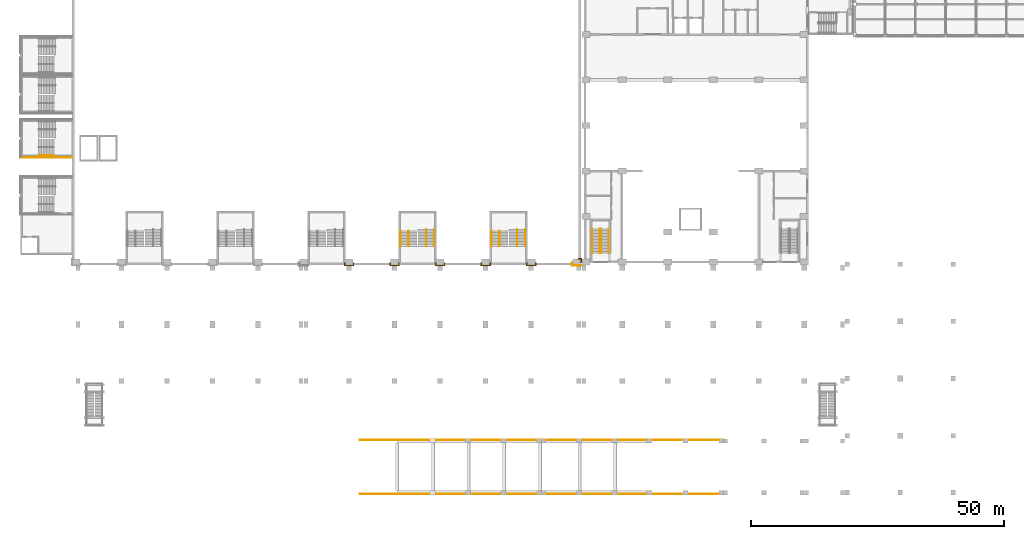
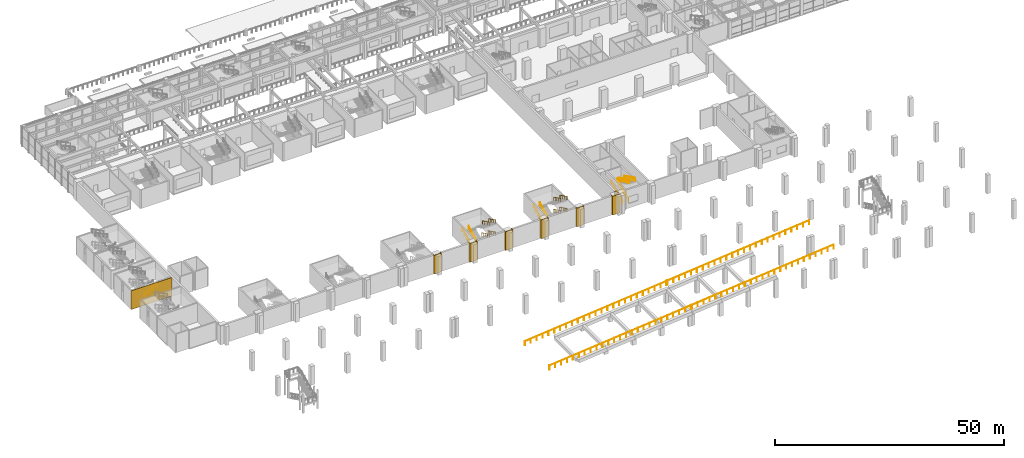
# One storey, part 55 of 67: 21 railings, 8 coverings.
"""IFC4 building model written with IfcOpenShell, lengths in metres."""

from ifc_helpers import new_model, si_unit, direction, frame, origin, origin_2d, place, context, subcontext, project, spatial, polyline, circle, outline, extrude, material, layer, layer_set, type_object, element, save


model = new_model("IFC4")

# Units and contexts
model_context = context("Model", 3, precision=1e-05, world=origin(), true_north=direction((0.0, 1.0)))
body_context = subcontext(model_context, "Body", "Model", "MODEL_VIEW")
ifc_project = project(units=[si_unit("LENGTHUNIT", "METRE"), si_unit("AREAUNIT", "SQUARE_METRE"), si_unit("VOLUMEUNIT", "CUBIC_METRE"), si_unit("PLANEANGLEUNIT", "RADIAN"), si_unit("MASSUNIT", "GRAM", prefix="KILO")], contexts=[model_context])

# Site, building, storey
site_placement = place(None, origin())
site = spatial("IfcSite", under=ifc_project, at=site_placement, CompositionType="ELEMENT")
building_placement = place(site_placement, origin())
building = spatial("IfcBuilding", under=site, at=building_placement, Name="Aravalli Gate Trade Fair Centre", CompositionType="ELEMENT")
storey_placement = place(building_placement, frame((0.0, 0.0, 5.0)))
storey = spatial("IfcBuildingStorey", under=building, at=storey_placement, Name="L01", CompositionType="ELEMENT", Elevation=5.0)

# Railings
ifc_material_1 = material(Name="Steel E350", Category="steel")
railing_type_1 = type_object("IfcRailingType", Name="Congress stair handrail 900", PredefinedType="HANDRAIL", material=ifc_material_1)
for number, where, name in (
    (1, (108.070068359375, 47.800048828125, 0.147216796875), "Handrail GS1 L01 1"),
    (2, (109.550048828125, 47.800048828125, 0.147216796875), "Handrail GS1 L01 2"),
):
    element("IfcRailing", number, at=place(storey_placement, frame(where)), inside=storey, type_object=railing_type_1, Name=name, PredefinedType="HANDRAIL", context=body_context, shape_type="SweptSolid", body=[
        extrude(circle(Radius=0.02392578125, at=origin_2d()), frame((0.0, 0.0, 0.8759765625), z_axis=(0.0, 0.89793417156, 0.440129780343), x_axis=(-1.0, 0.0, 0.0)), (0.0, 0.0, 1.0), 5.345703125),
        extrude(circle(Radius=0.02099609375, at=origin_2d()), origin(), (0.0, 0.0, 1.0), 0.851806640625),
        extrude(circle(Radius=0.02099609375, at=origin_2d()), frame((0.0, 0.9599609375, 0.470458984375)), (0.0, 0.0, 1.0), 0.851806640625),
        extrude(circle(Radius=0.02099609375, at=origin_2d()), frame((0.0, 1.919921875, 0.941162109375)), (0.0, 0.0, 1.0), 0.851806640625),
        extrude(circle(Radius=0.02099609375, at=origin_2d()), frame((0.0, 2.880126953125, 1.41162109375)), (0.0, 0.0, 1.0), 0.851806640625),
        extrude(circle(Radius=0.02099609375, at=origin_2d()), frame((0.0, 3.840087890625, 1.88232421875)), (0.0, 0.0, 1.0), 0.851806640625),
        extrude(circle(Radius=0.02099609375, at=origin_2d()), frame((0.0, 4.800048828125, 2.352783203125)), (0.0, 0.0, 1.0), 0.851806640625),
    ])
for number, where, name in (
    (3, (111.330078125, 52.60009765625, 2.647216796875), "Handrail GS1 L01 3"),
    (4, (109.85009765625, 52.60009765625, 2.647216796875), "Handrail GS1 L01 4"),
):
    element("IfcRailing", number, at=place(storey_placement, frame(where)), inside=storey, type_object=railing_type_1, Name=name, PredefinedType="HANDRAIL", context=body_context, shape_type="SweptSolid", body=[
        extrude(circle(Radius=0.02392578125, at=origin_2d()), frame((0.0, 0.0, 0.8759765625), z_axis=(0.0, -0.89793417156, 0.440129780343), x_axis=(1.0, 0.0, 0.0)), (0.0, 0.0, 1.0), 5.345703125),
        extrude(circle(Radius=0.02099609375, at=origin_2d()), origin(), (0.0, 0.0, 1.0), 0.851806640625),
        extrude(circle(Radius=0.02099609375, at=origin_2d()), frame((0.0, -0.9599609375, 0.470458984375)), (0.0, 0.0, 1.0), 0.851806640625),
        extrude(circle(Radius=0.02099609375, at=origin_2d()), frame((0.0, -1.919921875, 0.941162109375)), (0.0, 0.0, 1.0), 0.851806640625),
        extrude(circle(Radius=0.02099609375, at=origin_2d()), frame((0.0, -2.880126953125, 1.41162109375)), (0.0, 0.0, 1.0), 0.851806640625),
        extrude(circle(Radius=0.02099609375, at=origin_2d()), frame((0.0, -3.840087890625, 1.88232421875)), (0.0, 0.0, 1.0), 0.851806640625),
        extrude(circle(Radius=0.02099609375, at=origin_2d()), frame((0.0, -4.800048828125, 2.352783203125)), (0.0, 0.0, 1.0), 0.851806640625),
    ])
railing_type_2 = type_object("IfcRailingType", Name="Edge guard 1100", PredefinedType="GUARDRAIL", material=ifc_material_1)
railing_1_placement = place(storey_placement, frame((62.1201171875, 0.14990234375, 0.81201171875)))
element("IfcRailing", 5, at=railing_1_placement, inside=storey, type_object=railing_type_2, Name="Ramp guard RA1-F2.3 S", PredefinedType="GUARDRAIL", context=body_context, shape_type="SweptSolid", body=[
    extrude(circle(Radius=0.02392578125, at=origin_2d()), frame((0.0, 0.0, 1.076171875), z_axis=(0.995037324731, 0.0, 0.099502373801), x_axis=(0.0, 1.0, 0.0)), (0.0, 0.0, 1.0), 35.938232421875),
    extrude(circle(Radius=0.02099609375, at=origin_2d()), origin(), (0.0, 0.0, 1.0), 1.052001953125),
    extrude(circle(Radius=0.02099609375, at=origin_2d()), frame((1.489990234375, 0.0, 0.14892578125)), (0.0, 0.0, 1.0), 1.052001953125),
    extrude(circle(Radius=0.02099609375, at=origin_2d()), frame((2.97998046875, 0.0, 0.298095703125)), (0.0, 0.0, 1.0), 1.052001953125),
    extrude(circle(Radius=0.02099609375, at=origin_2d()), frame((4.469970703125, 0.0, 0.447021484375)), (0.0, 0.0, 1.0), 1.052001953125),
    extrude(circle(Radius=0.02099609375, at=origin_2d()), frame((5.9599609375, 0.0, 0.595947265625)), (0.0, 0.0, 1.0), 1.052001953125),
    extrude(circle(Radius=0.02099609375, at=origin_2d()), frame((7.449951171875, 0.0, 0.744873046875)), (0.0, 0.0, 1.0), 1.052001953125),
    extrude(circle(Radius=0.02099609375, at=origin_2d()), frame((8.93994140625, 0.0, 0.89404296875)), (0.0, 0.0, 1.0), 1.052001953125),
    extrude(circle(Radius=0.02099609375, at=origin_2d()), frame((10.429931640625, 0.0, 1.04296875)), (0.0, 0.0, 1.0), 1.052001953125),
    extrude(circle(Radius=0.02099609375, at=origin_2d()), frame((11.919921875, 0.0, 1.19189453125)), (0.0, 0.0, 1.0), 1.052001953125),
    extrude(circle(Radius=0.02099609375, at=origin_2d()), frame((13.409912109375, 0.0, 1.341064453125)), (0.0, 0.0, 1.0), 1.052001953125),
    extrude(circle(Radius=0.02099609375, at=origin_2d()), frame((14.89990234375, 0.0, 1.489990234375)), (0.0, 0.0, 1.0), 1.052001953125),
    extrude(circle(Radius=0.02099609375, at=origin_2d()), frame((16.389892578125, 0.0, 1.638916015625)), (0.0, 0.0, 1.0), 1.052001953125),
    extrude(circle(Radius=0.02099609375, at=origin_2d()), frame((17.8798828125, 0.0, 1.7880859375)), (0.0, 0.0, 1.0), 1.052001953125),
    extrude(circle(Radius=0.02099609375, at=origin_2d()), frame((19.369873046875, 0.0, 1.93701171875)), (0.0, 0.0, 1.0), 1.052001953125),
    extrude(circle(Radius=0.02099609375, at=origin_2d()), frame((20.85986328125, 0.0, 2.0859375)), (0.0, 0.0, 1.0), 1.052001953125),
    extrude(circle(Radius=0.02099609375, at=origin_2d()), frame((22.349853515625, 0.0, 2.23486328125)), (0.0, 0.0, 1.0), 1.052001953125),
    extrude(circle(Radius=0.02099609375, at=origin_2d()), frame((23.83984375, 0.0, 2.384033203125)), (0.0, 0.0, 1.0), 1.052001953125),
    extrude(circle(Radius=0.02099609375, at=origin_2d()), frame((25.329833984375, 0.0, 2.532958984375)), (0.0, 0.0, 1.0), 1.052001953125),
    extrude(circle(Radius=0.02099609375, at=origin_2d()), frame((26.81982421875, 0.0, 2.681884765625)), (0.0, 0.0, 1.0), 1.052001953125),
    extrude(circle(Radius=0.02099609375, at=origin_2d()), frame((28.309814453125, 0.0, 2.8310546875)), (0.0, 0.0, 1.0), 1.052001953125),
    extrude(circle(Radius=0.02099609375, at=origin_2d()), frame((29.7998046875, 0.0, 2.97998046875)), (0.0, 0.0, 1.0), 1.052001953125),
    extrude(circle(Radius=0.02099609375, at=origin_2d()), frame((31.289794921875, 0.0, 3.12890625)), (0.0, 0.0, 1.0), 1.052001953125),
    extrude(circle(Radius=0.02099609375, at=origin_2d()), frame((32.77978515625, 0.0, 3.27783203125)), (0.0, 0.0, 1.0), 1.052001953125),
    extrude(circle(Radius=0.02099609375, at=origin_2d()), frame((34.269775390625, 0.0, 3.427001953125)), (0.0, 0.0, 1.0), 1.052001953125),
    extrude(circle(Radius=0.02099609375, at=origin_2d()), frame((35.759765625, 0.0, 3.575927734375)), (0.0, 0.0, 1.0), 1.052001953125),
])
railing_2_placement = place(storey_placement, frame((62.1201171875, 10.85009765625, 0.81201171875)))
element("IfcRailing", 6, at=railing_2_placement, inside=storey, type_object=railing_type_2, Name="Ramp guard RA1-F2.3 N", PredefinedType="GUARDRAIL", context=body_context, shape_type="SweptSolid", body=[
    extrude(circle(Radius=0.02392578125, at=origin_2d()), frame((0.0, 0.0, 1.076171875), z_axis=(0.995037324731, 0.0, 0.099502373801), x_axis=(0.0, 1.0, 0.0)), (0.0, 0.0, 1.0), 35.938232421875),
    extrude(circle(Radius=0.02099609375, at=origin_2d()), origin(), (0.0, 0.0, 1.0), 1.052001953125),
    extrude(circle(Radius=0.02099609375, at=origin_2d()), frame((1.489990234375, 0.0, 0.14892578125)), (0.0, 0.0, 1.0), 1.052001953125),
    extrude(circle(Radius=0.02099609375, at=origin_2d()), frame((2.97998046875, 0.0, 0.298095703125)), (0.0, 0.0, 1.0), 1.052001953125),
    extrude(circle(Radius=0.02099609375, at=origin_2d()), frame((4.469970703125, 0.0, 0.447021484375)), (0.0, 0.0, 1.0), 1.052001953125),
    extrude(circle(Radius=0.02099609375, at=origin_2d()), frame((5.9599609375, 0.0, 0.595947265625)), (0.0, 0.0, 1.0), 1.052001953125),
    extrude(circle(Radius=0.02099609375, at=origin_2d()), frame((7.449951171875, 0.0, 0.744873046875)), (0.0, 0.0, 1.0), 1.052001953125),
    extrude(circle(Radius=0.02099609375, at=origin_2d()), frame((8.93994140625, 0.0, 0.89404296875)), (0.0, 0.0, 1.0), 1.052001953125),
    extrude(circle(Radius=0.02099609375, at=origin_2d()), frame((10.429931640625, 0.0, 1.04296875)), (0.0, 0.0, 1.0), 1.052001953125),
    extrude(circle(Radius=0.02099609375, at=origin_2d()), frame((11.919921875, 0.0, 1.19189453125)), (0.0, 0.0, 1.0), 1.052001953125),
    extrude(circle(Radius=0.02099609375, at=origin_2d()), frame((13.409912109375, 0.0, 1.341064453125)), (0.0, 0.0, 1.0), 1.052001953125),
    extrude(circle(Radius=0.02099609375, at=origin_2d()), frame((14.89990234375, 0.0, 1.489990234375)), (0.0, 0.0, 1.0), 1.052001953125),
    extrude(circle(Radius=0.02099609375, at=origin_2d()), frame((16.389892578125, 0.0, 1.638916015625)), (0.0, 0.0, 1.0), 1.052001953125),
    extrude(circle(Radius=0.02099609375, at=origin_2d()), frame((17.8798828125, 0.0, 1.7880859375)), (0.0, 0.0, 1.0), 1.052001953125),
    extrude(circle(Radius=0.02099609375, at=origin_2d()), frame((19.369873046875, 0.0, 1.93701171875)), (0.0, 0.0, 1.0), 1.052001953125),
    extrude(circle(Radius=0.02099609375, at=origin_2d()), frame((20.85986328125, 0.0, 2.0859375)), (0.0, 0.0, 1.0), 1.052001953125),
    extrude(circle(Radius=0.02099609375, at=origin_2d()), frame((22.349853515625, 0.0, 2.23486328125)), (0.0, 0.0, 1.0), 1.052001953125),
    extrude(circle(Radius=0.02099609375, at=origin_2d()), frame((23.83984375, 0.0, 2.384033203125)), (0.0, 0.0, 1.0), 1.052001953125),
    extrude(circle(Radius=0.02099609375, at=origin_2d()), frame((25.329833984375, 0.0, 2.532958984375)), (0.0, 0.0, 1.0), 1.052001953125),
    extrude(circle(Radius=0.02099609375, at=origin_2d()), frame((26.81982421875, 0.0, 2.681884765625)), (0.0, 0.0, 1.0), 1.052001953125),
    extrude(circle(Radius=0.02099609375, at=origin_2d()), frame((28.309814453125, 0.0, 2.8310546875)), (0.0, 0.0, 1.0), 1.052001953125),
    extrude(circle(Radius=0.02099609375, at=origin_2d()), frame((29.7998046875, 0.0, 2.97998046875)), (0.0, 0.0, 1.0), 1.052001953125),
    extrude(circle(Radius=0.02099609375, at=origin_2d()), frame((31.289794921875, 0.0, 3.12890625)), (0.0, 0.0, 1.0), 1.052001953125),
    extrude(circle(Radius=0.02099609375, at=origin_2d()), frame((32.77978515625, 0.0, 3.27783203125)), (0.0, 0.0, 1.0), 1.052001953125),
    extrude(circle(Radius=0.02099609375, at=origin_2d()), frame((34.269775390625, 0.0, 3.427001953125)), (0.0, 0.0, 1.0), 1.052001953125),
    extrude(circle(Radius=0.02099609375, at=origin_2d()), frame((35.759765625, 0.0, 3.575927734375)), (0.0, 0.0, 1.0), 1.052001953125),
])
railing_3_placement = place(storey_placement, frame((98.1201171875, 0.14990234375, 4.412109375)))
element("IfcRailing", 7, at=railing_3_placement, inside=storey, type_object=railing_type_2, Name="Ramp guard RA1-F2.4 S", PredefinedType="GUARDRAIL", context=body_context, shape_type="SweptSolid", body=[
    extrude(circle(Radius=0.02392578125, at=origin_2d()), frame((0.0, 0.0, 1.076171875), z_axis=(0.995037324731, 0.0, 0.099502373801), x_axis=(0.0, 1.0, 0.0)), (0.0, 0.0, 1.0), 35.938232421875),
    extrude(circle(Radius=0.02099609375, at=origin_2d()), origin(), (0.0, 0.0, 1.0), 1.052001953125),
    extrude(circle(Radius=0.02099609375, at=origin_2d()), frame((1.489990234375, 0.0, 0.14892578125)), (0.0, 0.0, 1.0), 1.052001953125),
    extrude(circle(Radius=0.02099609375, at=origin_2d()), frame((2.97998046875, 0.0, 0.298095703125)), (0.0, 0.0, 1.0), 1.052001953125),
    extrude(circle(Radius=0.02099609375, at=origin_2d()), frame((4.469970703125, 0.0, 0.447021484375)), (0.0, 0.0, 1.0), 1.052001953125),
    extrude(circle(Radius=0.02099609375, at=origin_2d()), frame((5.9599609375, 0.0, 0.595947265625)), (0.0, 0.0, 1.0), 1.052001953125),
    extrude(circle(Radius=0.02099609375, at=origin_2d()), frame((7.449951171875, 0.0, 0.744873046875)), (0.0, 0.0, 1.0), 1.052001953125),
    extrude(circle(Radius=0.02099609375, at=origin_2d()), frame((8.93994140625, 0.0, 0.89404296875)), (0.0, 0.0, 1.0), 1.052001953125),
    extrude(circle(Radius=0.02099609375, at=origin_2d()), frame((10.429931640625, 0.0, 1.04296875)), (0.0, 0.0, 1.0), 1.052001953125),
    extrude(circle(Radius=0.02099609375, at=origin_2d()), frame((11.919921875, 0.0, 1.19189453125)), (0.0, 0.0, 1.0), 1.052001953125),
    extrude(circle(Radius=0.02099609375, at=origin_2d()), frame((13.409912109375, 0.0, 1.341064453125)), (0.0, 0.0, 1.0), 1.052001953125),
    extrude(circle(Radius=0.02099609375, at=origin_2d()), frame((14.89990234375, 0.0, 1.489990234375)), (0.0, 0.0, 1.0), 1.052001953125),
    extrude(circle(Radius=0.02099609375, at=origin_2d()), frame((16.389892578125, 0.0, 1.638916015625)), (0.0, 0.0, 1.0), 1.052001953125),
    extrude(circle(Radius=0.02099609375, at=origin_2d()), frame((17.8798828125, 0.0, 1.7880859375)), (0.0, 0.0, 1.0), 1.052001953125),
    extrude(circle(Radius=0.02099609375, at=origin_2d()), frame((19.369873046875, 0.0, 1.93701171875)), (0.0, 0.0, 1.0), 1.052001953125),
    extrude(circle(Radius=0.02099609375, at=origin_2d()), frame((20.85986328125, 0.0, 2.0859375)), (0.0, 0.0, 1.0), 1.052001953125),
    extrude(circle(Radius=0.02099609375, at=origin_2d()), frame((22.349853515625, 0.0, 2.23486328125)), (0.0, 0.0, 1.0), 1.052001953125),
    extrude(circle(Radius=0.02099609375, at=origin_2d()), frame((23.83984375, 0.0, 2.384033203125)), (0.0, 0.0, 1.0), 1.052001953125),
    extrude(circle(Radius=0.02099609375, at=origin_2d()), frame((25.329833984375, 0.0, 2.532958984375)), (0.0, 0.0, 1.0), 1.052001953125),
    extrude(circle(Radius=0.02099609375, at=origin_2d()), frame((26.81982421875, 0.0, 2.681884765625)), (0.0, 0.0, 1.0), 1.052001953125),
    extrude(circle(Radius=0.02099609375, at=origin_2d()), frame((28.309814453125, 0.0, 2.8310546875)), (0.0, 0.0, 1.0), 1.052001953125),
    extrude(circle(Radius=0.02099609375, at=origin_2d()), frame((29.7998046875, 0.0, 2.97998046875)), (0.0, 0.0, 1.0), 1.052001953125),
    extrude(circle(Radius=0.02099609375, at=origin_2d()), frame((31.289794921875, 0.0, 3.12890625)), (0.0, 0.0, 1.0), 1.052001953125),
    extrude(circle(Radius=0.02099609375, at=origin_2d()), frame((32.77978515625, 0.0, 3.27783203125)), (0.0, 0.0, 1.0), 1.052001953125),
    extrude(circle(Radius=0.02099609375, at=origin_2d()), frame((34.269775390625, 0.0, 3.427001953125)), (0.0, 0.0, 1.0), 1.052001953125),
    extrude(circle(Radius=0.02099609375, at=origin_2d()), frame((35.759765625, 0.0, 3.575927734375)), (0.0, 0.0, 1.0), 1.052001953125),
])
railing_4_placement = place(storey_placement, frame((98.1201171875, 10.85009765625, 4.412109375)))
element("IfcRailing", 8, at=railing_4_placement, inside=storey, type_object=railing_type_2, Name="Ramp guard RA1-F2.4 N", PredefinedType="GUARDRAIL", context=body_context, shape_type="SweptSolid", body=[
    extrude(circle(Radius=0.02392578125, at=origin_2d()), frame((0.0, 0.0, 1.076171875), z_axis=(0.995037324731, 0.0, 0.099502373801), x_axis=(0.0, 1.0, 0.0)), (0.0, 0.0, 1.0), 35.938232421875),
    extrude(circle(Radius=0.02099609375, at=origin_2d()), origin(), (0.0, 0.0, 1.0), 1.052001953125),
    extrude(circle(Radius=0.02099609375, at=origin_2d()), frame((1.489990234375, 0.0, 0.14892578125)), (0.0, 0.0, 1.0), 1.052001953125),
    extrude(circle(Radius=0.02099609375, at=origin_2d()), frame((2.97998046875, 0.0, 0.298095703125)), (0.0, 0.0, 1.0), 1.052001953125),
    extrude(circle(Radius=0.02099609375, at=origin_2d()), frame((4.469970703125, 0.0, 0.447021484375)), (0.0, 0.0, 1.0), 1.052001953125),
    extrude(circle(Radius=0.02099609375, at=origin_2d()), frame((5.9599609375, 0.0, 0.595947265625)), (0.0, 0.0, 1.0), 1.052001953125),
    extrude(circle(Radius=0.02099609375, at=origin_2d()), frame((7.449951171875, 0.0, 0.744873046875)), (0.0, 0.0, 1.0), 1.052001953125),
    extrude(circle(Radius=0.02099609375, at=origin_2d()), frame((8.93994140625, 0.0, 0.89404296875)), (0.0, 0.0, 1.0), 1.052001953125),
    extrude(circle(Radius=0.02099609375, at=origin_2d()), frame((10.429931640625, 0.0, 1.04296875)), (0.0, 0.0, 1.0), 1.052001953125),
    extrude(circle(Radius=0.02099609375, at=origin_2d()), frame((11.919921875, 0.0, 1.19189453125)), (0.0, 0.0, 1.0), 1.052001953125),
    extrude(circle(Radius=0.02099609375, at=origin_2d()), frame((13.409912109375, 0.0, 1.341064453125)), (0.0, 0.0, 1.0), 1.052001953125),
    extrude(circle(Radius=0.02099609375, at=origin_2d()), frame((14.89990234375, 0.0, 1.489990234375)), (0.0, 0.0, 1.0), 1.052001953125),
    extrude(circle(Radius=0.02099609375, at=origin_2d()), frame((16.389892578125, 0.0, 1.638916015625)), (0.0, 0.0, 1.0), 1.052001953125),
    extrude(circle(Radius=0.02099609375, at=origin_2d()), frame((17.8798828125, 0.0, 1.7880859375)), (0.0, 0.0, 1.0), 1.052001953125),
    extrude(circle(Radius=0.02099609375, at=origin_2d()), frame((19.369873046875, 0.0, 1.93701171875)), (0.0, 0.0, 1.0), 1.052001953125),
    extrude(circle(Radius=0.02099609375, at=origin_2d()), frame((20.85986328125, 0.0, 2.0859375)), (0.0, 0.0, 1.0), 1.052001953125),
    extrude(circle(Radius=0.02099609375, at=origin_2d()), frame((22.349853515625, 0.0, 2.23486328125)), (0.0, 0.0, 1.0), 1.052001953125),
    extrude(circle(Radius=0.02099609375, at=origin_2d()), frame((23.83984375, 0.0, 2.384033203125)), (0.0, 0.0, 1.0), 1.052001953125),
    extrude(circle(Radius=0.02099609375, at=origin_2d()), frame((25.329833984375, 0.0, 2.532958984375)), (0.0, 0.0, 1.0), 1.052001953125),
    extrude(circle(Radius=0.02099609375, at=origin_2d()), frame((26.81982421875, 0.0, 2.681884765625)), (0.0, 0.0, 1.0), 1.052001953125),
    extrude(circle(Radius=0.02099609375, at=origin_2d()), frame((28.309814453125, 0.0, 2.8310546875)), (0.0, 0.0, 1.0), 1.052001953125),
    extrude(circle(Radius=0.02099609375, at=origin_2d()), frame((29.7998046875, 0.0, 2.97998046875)), (0.0, 0.0, 1.0), 1.052001953125),
    extrude(circle(Radius=0.02099609375, at=origin_2d()), frame((31.289794921875, 0.0, 3.12890625)), (0.0, 0.0, 1.0), 1.052001953125),
    extrude(circle(Radius=0.02099609375, at=origin_2d()), frame((32.77978515625, 0.0, 3.27783203125)), (0.0, 0.0, 1.0), 1.052001953125),
    extrude(circle(Radius=0.02099609375, at=origin_2d()), frame((34.269775390625, 0.0, 3.427001953125)), (0.0, 0.0, 1.0), 1.052001953125),
    extrude(circle(Radius=0.02099609375, at=origin_2d()), frame((35.759765625, 0.0, 3.575927734375)), (0.0, 0.0, 1.0), 1.052001953125),
])

# Covering
ifc_material_2 = material(Name="Terracotta", Category="masonry")
ifc_layer_1 = layer(ifc_material_2, 0.10009765625)
ifc_layer_set_1 = layer_set([ifc_layer_1], Name="Terracotta")
covering_type_1 = type_object("IfcCoveringType", Name="End tower cladding 100", PredefinedType="CLADDING", material=ifc_layer_set_1)
covering_1_placement = place(storey_placement, origin())
element("IfcCovering", 9, at=covering_1_placement, inside=storey, type_object=covering_type_1, Name="End tower W4 cladding L01 side A", PredefinedType="CLADDING", context=body_context, shape_type="SweptSolid", body=[
    extrude(outline(polyline([(5.199951171875, 66.699951171875), (-5.10009765625, 66.699951171875), (-5.10009765625, 66.800048828125), (5.199951171875, 66.800048828125), (5.199951171875, 66.699951171875)])), origin(), (0.0, 0.0, 1.0), 5.0),
])

# Railings
railing_type_3 = type_object("IfcRailingType", Name="Stair handrail 900", PredefinedType="HANDRAIL", material=ifc_material_1)
for number, where, name in (
    (10, (76.830078125, 52.449951171875, 0.147216796875), "Handrail S08 L01 1"),
    (11, (75.25, 52.449951171875, 0.147216796875), "Handrail centre S08 L01 2"),
):
    element("IfcRailing", number, at=place(storey_placement, frame(where)), inside=storey, type_object=railing_type_3, Name=name, PredefinedType="HANDRAIL", context=body_context, shape_type="SweptSolid", body=[
        extrude(circle(Radius=0.02392578125, at=origin_2d()), frame((0.0, 0.0, 0.8759765625), z_axis=(0.0, -0.897946461621, 0.440104705795), x_axis=(1.0, 0.0, 0.0)), (0.0, 0.0, 1.0), 3.675048828125),
        extrude(circle(Radius=0.02099609375, at=origin_2d()), origin(), (0.0, 0.0, 1.0), 0.851806640625),
        extrude(circle(Radius=0.02099609375, at=origin_2d()), frame((0.0, -0.824951171875, 0.404296875)), (0.0, 0.0, 1.0), 0.851806640625),
        extrude(circle(Radius=0.02099609375, at=origin_2d()), frame((0.0, -1.64990234375, 0.80859375)), (0.0, 0.0, 1.0), 0.851806640625),
        extrude(circle(Radius=0.02099609375, at=origin_2d()), frame((0.0, -2.47509765625, 1.213134765625)), (0.0, 0.0, 1.0), 0.851806640625),
        extrude(circle(Radius=0.02099609375, at=origin_2d()), frame((0.0, -3.300048828125, 1.617431640625)), (0.0, 0.0, 1.0), 0.851806640625),
    ])
for number, where, name in (
    (12, (70.169921875, 49.14990234375, 1.911865234375), "Handrail S08 L01 3"),
    (13, (71.75, 49.14990234375, 1.911865234375), "Handrail centre S08 L01 4"),
):
    element("IfcRailing", number, at=place(storey_placement, frame(where)), inside=storey, type_object=railing_type_3, Name=name, PredefinedType="HANDRAIL", context=body_context, shape_type="SweptSolid", body=[
        extrude(circle(Radius=0.02392578125, at=origin_2d()), frame((0.0, 0.0, 0.8759765625), z_axis=(0.0, 0.897936012048, 0.440126025437), x_axis=(-1.0, 0.0, 0.0)), (0.0, 0.0, 1.0), 3.341064453125),
        extrude(circle(Radius=0.02099609375, at=origin_2d()), origin(), (0.0, 0.0, 1.0), 0.851806640625),
        extrude(circle(Radius=0.02099609375, at=origin_2d()), frame((0.0, 1.0, 0.490234375)), (0.0, 0.0, 1.0), 0.851806640625),
        extrude(circle(Radius=0.02099609375, at=origin_2d()), frame((0.0, 2.0, 0.980224609375)), (0.0, 0.0, 1.0), 0.851806640625),
        extrude(circle(Radius=0.02099609375, at=origin_2d()), frame((0.0, 3.0, 1.470458984375)), (0.0, 0.0, 1.0), 0.851806640625),
    ])
for number, where, name in (
    (14, (76.830078125, 52.14990234375, 3.529296875), "Handrail S08 L01 5"),
    (15, (75.25, 52.14990234375, 3.529296875), "Handrail centre S08 L01 6"),
):
    element("IfcRailing", number, at=place(storey_placement, frame(where)), inside=storey, type_object=railing_type_3, Name=name, PredefinedType="HANDRAIL", context=body_context, shape_type="SweptSolid", body=[
        extrude(circle(Radius=0.02392578125, at=origin_2d()), frame((0.0, 0.0, 0.8759765625), z_axis=(0.0, -0.897907131747, 0.44018494154), x_axis=(1.0, 0.0, 0.0)), (0.0, 0.0, 1.0), 3.341064453125),
        extrude(circle(Radius=0.02099609375, at=origin_2d()), origin(), (0.0, 0.0, 1.0), 0.851806640625),
        extrude(circle(Radius=0.02099609375, at=origin_2d()), frame((0.0, -1.0, 0.490234375)), (0.0, 0.0, 1.0), 0.851806640625),
        extrude(circle(Radius=0.02099609375, at=origin_2d()), frame((0.0, -2.0, 0.98046875)), (0.0, 0.0, 1.0), 0.851806640625),
        extrude(circle(Radius=0.02099609375, at=origin_2d()), frame((0.0, -3.0, 1.470703125)), (0.0, 0.0, 1.0), 0.851806640625),
    ])
for number, where, name in (
    (16, (94.830078125, 52.449951171875, 0.147216796875), "Handrail S10 L01 1"),
    (17, (93.25, 52.449951171875, 0.147216796875), "Handrail centre S10 L01 2"),
):
    element("IfcRailing", number, at=place(storey_placement, frame(where)), inside=storey, type_object=railing_type_3, Name=name, PredefinedType="HANDRAIL", context=body_context, shape_type="SweptSolid", body=[
        extrude(circle(Radius=0.02392578125, at=origin_2d()), frame((0.0, 0.0, 0.8759765625), z_axis=(0.0, -0.897946461621, 0.440104705795), x_axis=(1.0, 0.0, 0.0)), (0.0, 0.0, 1.0), 3.675048828125),
        extrude(circle(Radius=0.02099609375, at=origin_2d()), origin(), (0.0, 0.0, 1.0), 0.851806640625),
        extrude(circle(Radius=0.02099609375, at=origin_2d()), frame((0.0, -0.824951171875, 0.404296875)), (0.0, 0.0, 1.0), 0.851806640625),
        extrude(circle(Radius=0.02099609375, at=origin_2d()), frame((0.0, -1.64990234375, 0.80859375)), (0.0, 0.0, 1.0), 0.851806640625),
        extrude(circle(Radius=0.02099609375, at=origin_2d()), frame((0.0, -2.47509765625, 1.213134765625)), (0.0, 0.0, 1.0), 0.851806640625),
        extrude(circle(Radius=0.02099609375, at=origin_2d()), frame((0.0, -3.300048828125, 1.617431640625)), (0.0, 0.0, 1.0), 0.851806640625),
    ])
for number, where, name in (
    (18, (88.169921875, 49.14990234375, 1.911865234375), "Handrail S10 L01 3"),
    (19, (89.75, 49.14990234375, 1.911865234375), "Handrail centre S10 L01 4"),
):
    element("IfcRailing", number, at=place(storey_placement, frame(where)), inside=storey, type_object=railing_type_3, Name=name, PredefinedType="HANDRAIL", context=body_context, shape_type="SweptSolid", body=[
        extrude(circle(Radius=0.02392578125, at=origin_2d()), frame((0.0, 0.0, 0.8759765625), z_axis=(0.0, 0.897936012048, 0.440126025437), x_axis=(-1.0, 0.0, 0.0)), (0.0, 0.0, 1.0), 3.341064453125),
        extrude(circle(Radius=0.02099609375, at=origin_2d()), origin(), (0.0, 0.0, 1.0), 0.851806640625),
        extrude(circle(Radius=0.02099609375, at=origin_2d()), frame((0.0, 1.0, 0.490234375)), (0.0, 0.0, 1.0), 0.851806640625),
        extrude(circle(Radius=0.02099609375, at=origin_2d()), frame((0.0, 2.0, 0.980224609375)), (0.0, 0.0, 1.0), 0.851806640625),
        extrude(circle(Radius=0.02099609375, at=origin_2d()), frame((0.0, 3.0, 1.470458984375)), (0.0, 0.0, 1.0), 0.851806640625),
    ])
for number, where, name in (
    (20, (94.830078125, 52.14990234375, 3.529296875), "Handrail S10 L01 5"),
    (21, (93.25, 52.14990234375, 3.529296875), "Handrail centre S10 L01 6"),
):
    element("IfcRailing", number, at=place(storey_placement, frame(where)), inside=storey, type_object=railing_type_3, Name=name, PredefinedType="HANDRAIL", context=body_context, shape_type="SweptSolid", body=[
        extrude(circle(Radius=0.02392578125, at=origin_2d()), frame((0.0, 0.0, 0.8759765625), z_axis=(0.0, -0.897907131747, 0.44018494154), x_axis=(1.0, 0.0, 0.0)), (0.0, 0.0, 1.0), 3.341064453125),
        extrude(circle(Radius=0.02099609375, at=origin_2d()), origin(), (0.0, 0.0, 1.0), 0.851806640625),
        extrude(circle(Radius=0.02099609375, at=origin_2d()), frame((0.0, -1.0, 0.490234375)), (0.0, 0.0, 1.0), 0.851806640625),
        extrude(circle(Radius=0.02099609375, at=origin_2d()), frame((0.0, -2.0, 0.98046875)), (0.0, 0.0, 1.0), 0.851806640625),
        extrude(circle(Radius=0.02099609375, at=origin_2d()), frame((0.0, -3.0, 1.470703125)), (0.0, 0.0, 1.0), 0.851806640625),
    ])
railing_5_placement = place(storey_placement, frame((-1.39990234375, 67.169921875, 1.911865234375)))
element("IfcRailing", 22, at=railing_5_placement, inside=storey, type_object=railing_type_3, Name="Handrail W4 L01 3", PredefinedType="HANDRAIL", context=body_context, shape_type="SweptSolid", body=[
    extrude(circle(Radius=0.02392578125, at=origin_2d()), frame((0.0, 0.0, 0.8759765625), z_axis=(0.897936012048, 0.0, 0.440126025437), x_axis=(0.0, 1.0, 0.0)), (0.0, 0.0, 1.0), 3.341064453125),
    extrude(circle(Radius=0.02099609375, at=origin_2d()), origin(), (0.0, 0.0, 1.0), 0.851806640625),
    extrude(circle(Radius=0.02099609375, at=origin_2d()), frame((1.0, 0.0, 0.490234375)), (0.0, 0.0, 1.0), 0.851806640625),
    extrude(circle(Radius=0.02099609375, at=origin_2d()), frame((2.0, 0.0, 0.980224609375)), (0.0, 0.0, 1.0), 0.851806640625),
    extrude(circle(Radius=0.02099609375, at=origin_2d()), frame((3.0, 0.0, 1.470458984375)), (0.0, 0.0, 1.0), 0.851806640625),
])

# Coverings
ifc_layer_2 = layer(ifc_material_2, 0.14990234375)
ifc_layer_set_2 = layer_set([ifc_layer_2], Name="Terracotta")
covering_type_2 = type_object("IfcCoveringType", Name="Terracotta pier casing", PredefinedType="CLADDING", material=ifc_layer_set_2)
covering_2_placement = place(storey_placement, origin())
element("IfcCovering", 23, at=covering_2_placement, inside=storey, type_object=covering_type_2, Name="Clad pier A7 L01", PredefinedType="CLADDING", context=body_context, shape_type="SweptSolid", body=[
    extrude(outline(polyline([(59.050048828125, 45.85009765625), (59.199951171875, 45.85009765625), (59.199951171875, 45.39990234375), (60.800048828125, 45.39990234375), (60.800048828125, 45.85009765625), (60.949951171875, 45.85009765625), (60.949951171875, 45.25), (59.050048828125, 45.25), (59.050048828125, 45.85009765625)])), origin(), (0.0, 0.0, 1.0), 5.0),
])
covering_3_placement = place(storey_placement, origin())
element("IfcCovering", 24, at=covering_3_placement, inside=storey, type_object=covering_type_2, Name="Clad pier A8 L01", PredefinedType="CLADDING", context=body_context, shape_type="SweptSolid", body=[
    extrude(outline(polyline([(68.050048828125, 45.85009765625), (68.199951171875, 45.85009765625), (68.199951171875, 45.39990234375), (69.800048828125, 45.39990234375), (69.800048828125, 45.85009765625), (69.949951171875, 45.85009765625), (69.949951171875, 45.25), (68.050048828125, 45.25), (68.050048828125, 45.85009765625)])), origin(), (0.0, 0.0, 1.0), 5.0),
])
covering_4_placement = place(storey_placement, origin())
element("IfcCovering", 25, at=covering_4_placement, inside=storey, type_object=covering_type_2, Name="Clad pier A9 L01", PredefinedType="CLADDING", context=body_context, shape_type="SweptSolid", body=[
    extrude(outline(polyline([(77.050048828125, 45.85009765625), (77.199951171875, 45.85009765625), (77.199951171875, 45.39990234375), (78.800048828125, 45.39990234375), (78.800048828125, 45.85009765625), (78.949951171875, 45.85009765625), (78.949951171875, 45.25), (77.050048828125, 45.25), (77.050048828125, 45.85009765625)])), origin(), (0.0, 0.0, 1.0), 5.0),
])
covering_5_placement = place(storey_placement, origin())
element("IfcCovering", 26, at=covering_5_placement, inside=storey, type_object=covering_type_2, Name="Clad pier A10 L01", PredefinedType="CLADDING", context=body_context, shape_type="SweptSolid", body=[
    extrude(outline(polyline([(86.050048828125, 45.85009765625), (86.199951171875, 45.85009765625), (86.199951171875, 45.39990234375), (87.800048828125, 45.39990234375), (87.800048828125, 45.85009765625), (87.949951171875, 45.85009765625), (87.949951171875, 45.25), (86.050048828125, 45.25), (86.050048828125, 45.85009765625)])), origin(), (0.0, 0.0, 1.0), 5.0),
])
covering_6_placement = place(storey_placement, origin())
element("IfcCovering", 27, at=covering_6_placement, inside=storey, type_object=covering_type_2, Name="Clad pier A11 L01", PredefinedType="CLADDING", context=body_context, shape_type="SweptSolid", body=[
    extrude(outline(polyline([(95.050048828125, 45.85009765625), (95.199951171875, 45.85009765625), (95.199951171875, 45.39990234375), (96.800048828125, 45.39990234375), (96.800048828125, 45.85009765625), (96.949951171875, 45.85009765625), (96.949951171875, 45.25), (95.050048828125, 45.25), (95.050048828125, 45.85009765625)])), origin(), (0.0, 0.0, 1.0), 5.0),
])
covering_7_placement = place(storey_placement, origin())
element("IfcCovering", 28, at=covering_7_placement, inside=storey, type_object=covering_type_2, Name="Clad pier A12 L01", PredefinedType="CLADDING", context=body_context, shape_type="SweptSolid", body=[
    extrude(outline(polyline([(104.199951171875, 45.85009765625), (104.199951171875, 45.39990234375), (105.800048828125, 45.39990234375), (105.949951171875, 45.39990234375), (105.949951171875, 45.25), (104.050048828125, 45.25), (104.050048828125, 45.85009765625), (104.199951171875, 45.85009765625)])), origin(), (0.0, 0.0, 1.0), 5.0),
])
covering_8_placement = place(storey_placement, origin())
element("IfcCovering", 29, at=covering_8_placement, inside=storey, type_object=covering_type_2, Name="Clad pier A12 L01", PredefinedType="CLADDING", context=body_context, shape_type="SweptSolid", body=[
    extrude(outline(polyline([(105.800048828125, 46.60009765625), (105.35009765625, 46.60009765625), (105.35009765625, 46.75), (105.949951171875, 46.75), (105.949951171875, 45.85009765625), (105.800048828125, 45.85009765625), (105.800048828125, 46.60009765625)])), origin(), (0.0, 0.0, 1.0), 5.0),
])

save(model, "model.ifc")
